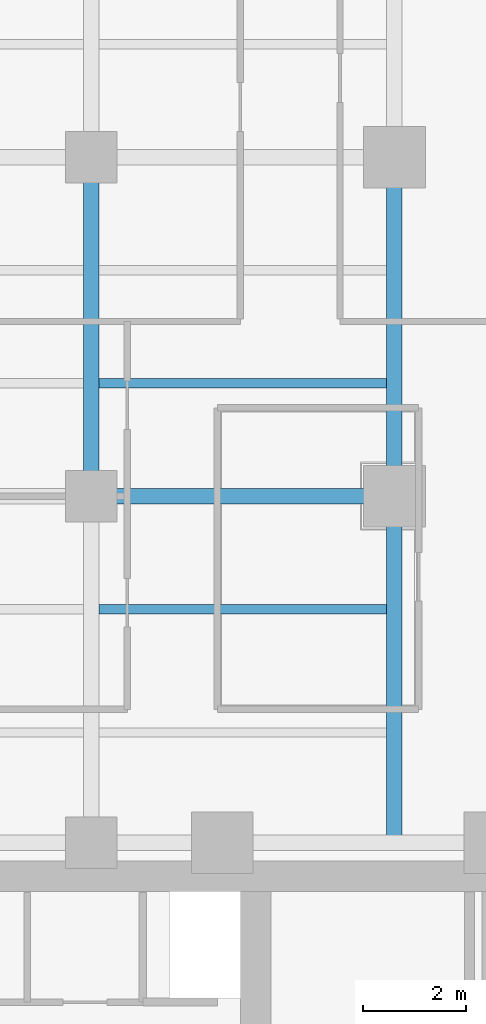
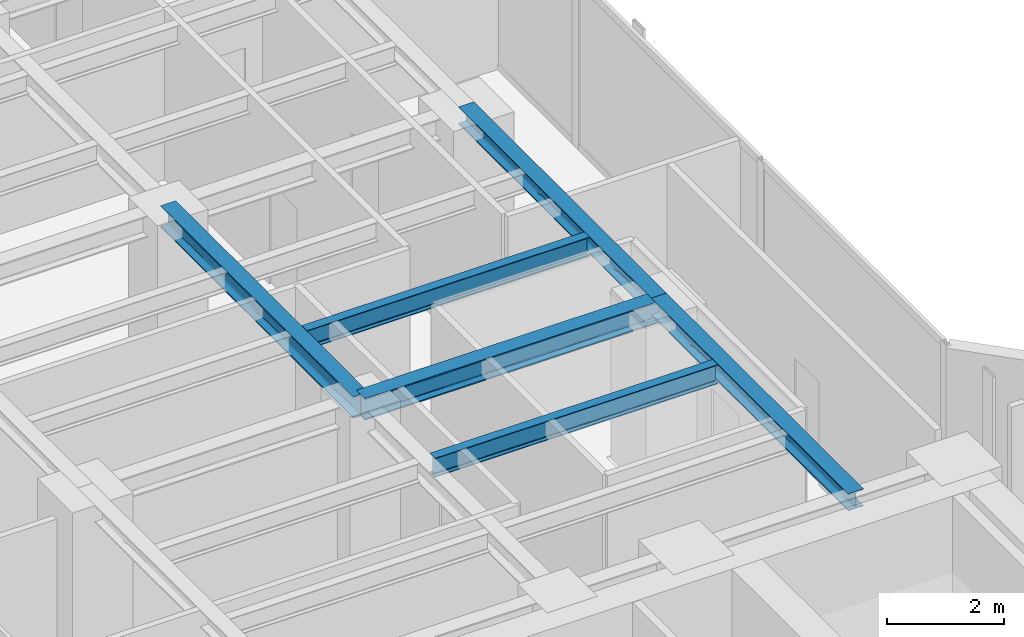
# One storey, part 8 of 26: 6 beams.
"""IFC4 building model written with IfcOpenShell, lengths in metres."""

from ifc_helpers import new_model, si_unit, direction, frame, origin, origin_2d, place, context, subcontext, project, spatial, i_section, extrude, material, material_profile, profile_set, type_object, element, save


model = new_model("IFC4")

# Units and contexts
model_context = context("Model", 3, precision=1e-05, world=origin(), true_north=direction((0.0, 1.0)))
body_context = subcontext(model_context, "Body", "Model", "MODEL_VIEW")
ifc_project = project(units=[si_unit("LENGTHUNIT", "METRE"), si_unit("AREAUNIT", "SQUARE_METRE"), si_unit("VOLUMEUNIT", "CUBIC_METRE"), si_unit("PLANEANGLEUNIT", "RADIAN"), si_unit("MASSUNIT", "GRAM", prefix="KILO")], contexts=[model_context])

# Site, building, storey
site_placement = place(None, origin())
site = spatial("IfcSite", under=ifc_project, at=site_placement, CompositionType="ELEMENT")
building_placement = place(site_placement, origin())
building = spatial("IfcBuilding", under=site, at=building_placement, Name="Kolvaren Waterfront Exchange", CompositionType="ELEMENT")
storey_placement = place(building_placement, frame((0.0, 0.0, 165.199951171875)))
storey = spatial("IfcBuildingStorey", under=building, at=storey_placement, Name="L42", CompositionType="ELEMENT", Elevation=165.199951171875)

# Beams
ifc_material = material(Name="Steel S355", Category="steel")
ifc_material_profile_1 = material_profile(ifc_material, i_section(OverallWidth=0.300048828125, OverallDepth=0.360107421875, WebThickness=0.012451171875, FlangeThickness=0.0224609375, FilletRadius=0.027099609375, at=origin_2d()), Name="HEB360")
ifc_profile_set_1 = profile_set([ifc_material_profile_1], Name="Steel S355")
beam_type_1 = type_object("IfcBeamType", Name="STR-BM-HEB360", PredefinedType="SPANDREL", material=ifc_profile_set_1)
beam_1_placement = place(storey_placement, frame((18.800048828125, 24.449951171875, 3.380126953125), z_axis=(0.0, 1.0, 0.0), x_axis=(-1.0, 0.0, 0.0)))
element("IfcBeam", 1, at=beam_1_placement, inside=storey, type_object=beam_type_1, Name="L42 north-arm edge beam 1", PredefinedType="SPANDREL", context=body_context, shape_type="SweptSolid", body=[
    extrude(i_section(OverallWidth=0.300048828125, OverallDepth=0.360107421875, WebThickness=0.012451171875, FlangeThickness=0.0224609375, FilletRadius=0.027099609375, at=origin_2d()), origin(), (0.0, 0.0, 1.0), 6.75),
])
beam_2_placement = place(storey_placement, frame((18.800048828125, 31.199951171875, 3.380126953125), z_axis=(0.0, 1.0, 0.0), x_axis=(-1.0, 0.0, 0.0)))
element("IfcBeam", 2, at=beam_2_placement, inside=storey, type_object=beam_type_1, Name="L42 north-arm edge beam 2", PredefinedType="SPANDREL", context=body_context, shape_type="SweptSolid", body=[
    extrude(i_section(OverallWidth=0.300048828125, OverallDepth=0.360107421875, WebThickness=0.012451171875, FlangeThickness=0.0224609375, FilletRadius=0.027099609375, at=origin_2d()), origin(), (0.0, 0.0, 1.0), 6.60009765625),
])
ifc_material_profile_2 = material_profile(ifc_material, i_section(OverallWidth=0.300048828125, OverallDepth=0.449951171875, WebThickness=0.013916015625, FlangeThickness=0.02587890625, FilletRadius=0.027099609375, at=origin_2d()), Name="HEB450")
ifc_profile_set_2 = profile_set([ifc_material_profile_2], Name="Steel S355")
beam_type_2 = type_object("IfcBeamType", Name="STR-BM-HEB450", PredefinedType="BEAM", material=ifc_profile_set_2)
beam_3_placement = place(storey_placement, frame((12.89990234375, 31.199951171875, 3.3349609375), z_axis=(1.0, 0.0, 0.0), x_axis=(0.0, 1.0, 0.0)))
element("IfcBeam", 3, at=beam_3_placement, inside=storey, type_object=beam_type_2, Name="L42 north-arm girder 2B", PredefinedType="BEAM", context=body_context, shape_type="SweptSolid", body=[
    extrude(i_section(OverallWidth=0.300048828125, OverallDepth=0.449951171875, WebThickness=0.013916015625, FlangeThickness=0.02587890625, FilletRadius=0.027099609375, at=origin_2d()), origin(), (0.0, 0.0, 1.0), 5.900146484375),
])
beam_4_placement = place(storey_placement, frame((12.89990234375, 31.199951171875, 3.3349609375), z_axis=(0.0, 1.0, 0.0), x_axis=(-1.0, 0.0, 0.0)))
element("IfcBeam", 4, at=beam_4_placement, inside=storey, type_object=beam_type_2, Name="L42 north-arm edge beam 2", PredefinedType="BEAM", context=body_context, shape_type="SweptSolid", body=[
    extrude(i_section(OverallWidth=0.300048828125, OverallDepth=0.449951171875, WebThickness=0.013916015625, FlangeThickness=0.02587890625, FilletRadius=0.027099609375, at=origin_2d()), origin(), (0.0, 0.0, 1.0), 6.60009765625),
])
ifc_material_profile_3 = material_profile(ifc_material, i_section(OverallWidth=0.179931640625, OverallDepth=0.39990234375, WebThickness=0.008544921875, FlangeThickness=0.013427734375, FilletRadius=0.02099609375, at=origin_2d()), Name="IPE400")
ifc_profile_set_3 = profile_set([ifc_material_profile_3], Name="Steel S355")
beam_type_3 = type_object("IfcBeamType", Name="STR-BM-IPE400", PredefinedType="JOIST", material=ifc_profile_set_3)
for number, where, z_axis, x_axis, name in (
    (5, (13.052001953125, 29.0, 3.360107421875), (1.0, 0.0, 0.0), (0.0, 1.0, 0.0), "L42 north-arm composite joist 2B"),
    (6, (13.052001953125, 33.39990234375, 3.360107421875), (1.0, 0.0, 0.0), (0.0, 1.0, 0.0), "L42 north-arm composite joist 3B"),
):
    element("IfcBeam", number, at=place(storey_placement, frame(where, z_axis=z_axis, x_axis=x_axis)), inside=storey, type_object=beam_type_3, Name=name, PredefinedType="JOIST", context=body_context, shape_type="SweptSolid", body=[
        extrude(i_section(OverallWidth=0.179931640625, OverallDepth=0.39990234375, WebThickness=0.008544921875, FlangeThickness=0.013427734375, FilletRadius=0.02099609375, at=origin_2d()), origin(), (0.0, 0.0, 1.0), 5.595947265625),
    ])

save(model, "model.ifc")
